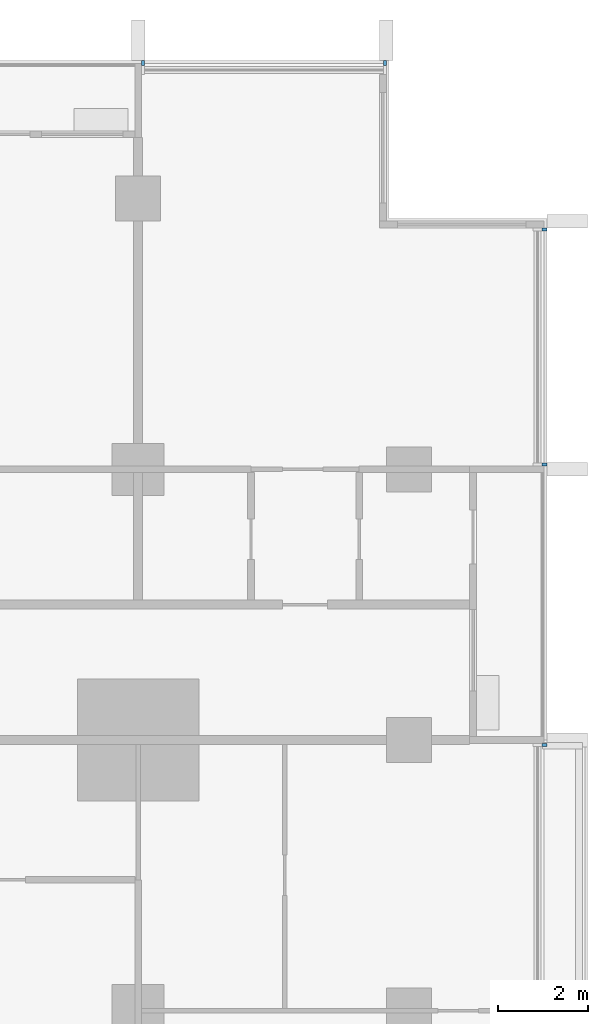
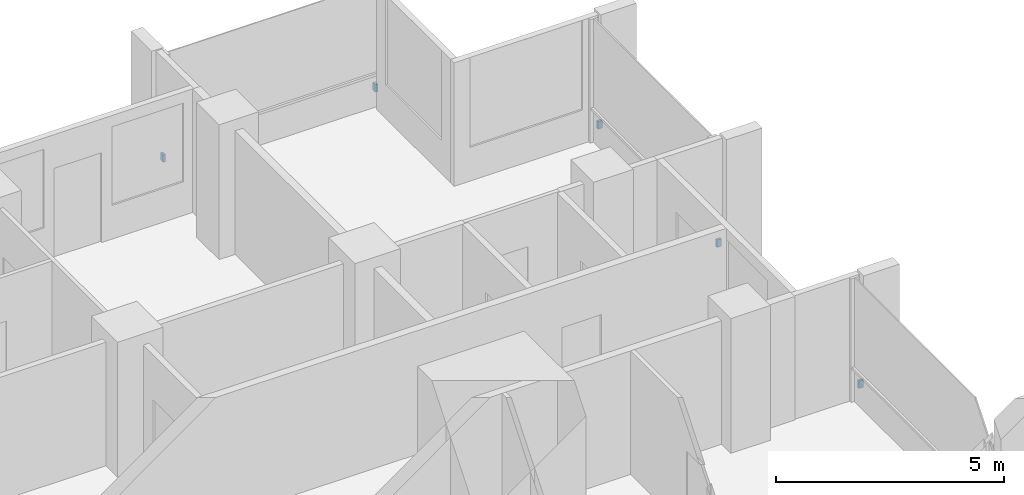
# One storey, part 17 of 19: 5 discrete accessories.
"""IFC4 building model written with IfcOpenShell, lengths in metres."""

from ifc_helpers import new_model, si_unit, direction, frame, origin, origin_2d, place, context, subcontext, project, spatial, rectangle, extrude, material, type_object, element, save


model = new_model("IFC4")

# Units and contexts
model_context = context("Model", 3, precision=1e-05, world=origin(), true_north=direction((0.0, 1.0)))
body_context = subcontext(model_context, "Body", "Model", "MODEL_VIEW")
ifc_project = project(units=[si_unit("LENGTHUNIT", "METRE"), si_unit("AREAUNIT", "SQUARE_METRE"), si_unit("VOLUMEUNIT", "CUBIC_METRE"), si_unit("PLANEANGLEUNIT", "RADIAN"), si_unit("MASSUNIT", "GRAM", prefix="KILO")], contexts=[model_context])

# Site, building, storey
site_placement = place(None, origin())
site = spatial("IfcSite", under=ifc_project, at=site_placement, CompositionType="ELEMENT")
building_placement = place(site_placement, origin())
building = spatial("IfcBuilding", under=site, at=building_placement, Name="Finial Court Residences", CompositionType="ELEMENT")
storey_placement = place(building_placement, frame((0.0, 0.0, 88.300048828125)))
storey = spatial("IfcBuildingStorey", under=building, at=storey_placement, Name="L21", CompositionType="ELEMENT", Elevation=88.300048828125)

# Discrete accessories
ifc_material = material(Name="Stainless steel 316", Category="steel")
discrete_accessory_type = type_object("IfcDiscreteAccessoryType", Name="Fin bracket, stainless steel 65 x 110 x 200", PredefinedType="BRACKET", material=ifc_material)
for number, where, z_axis, x_axis, name in (
    (1, (16.607421875, 22.5048828125, 0.2998046875), (0.0, 0.0, 1.0), (1.0, 0.0, 0.0), "E-L21-FIN-N7-BRK"),
    (2, (21.967529296875, 22.5048828125, 0.2998046875), (0.0, 0.0, 1.0), (1.0, 0.0, 0.0), "E-L21-FIN-N8-BRK"),
):
    element("IfcDiscreteAccessory", number, at=place(storey_placement, frame(where, z_axis=z_axis, x_axis=x_axis)), inside=storey, type_object=discrete_accessory_type, Name=name, PredefinedType="BRACKET", context=body_context, shape_type="SweptSolid", body=[
        extrude(rectangle(XDim=0.06494140625, YDim=0.110107421875, at=origin_2d()), origin(), (0.0, 0.0, 1.0), 0.199951171875),
    ])
for number, where, z_axis, x_axis, name in (
    (3, (25.5048828125, 7.392578125, 0.2998046875), (0.0, 0.0, 1.0), (1.0, 0.0, 0.0), "E-L21-FIN-E13-BRK"),
    (4, (25.5048828125, 13.607421875, 0.2998046875), (0.0, 0.0, 1.0), (1.0, 0.0, 0.0), "E-L21-FIN-E14-BRK"),
    (5, (25.5048828125, 18.8173828125, 0.2998046875), (0.0, 0.0, 1.0), (1.0, 0.0, 0.0), "E-L21-FIN-E15-BRK"),
):
    element("IfcDiscreteAccessory", number, at=place(storey_placement, frame(where, z_axis=z_axis, x_axis=x_axis)), inside=storey, type_object=discrete_accessory_type, Name=name, PredefinedType="BRACKET", context=body_context, shape_type="SweptSolid", body=[
        extrude(rectangle(XDim=0.110107421875, YDim=0.06494140625, at=origin_2d()), origin(), (0.0, 0.0, 1.0), 0.199951171875),
    ])

save(model, "model.ifc")
